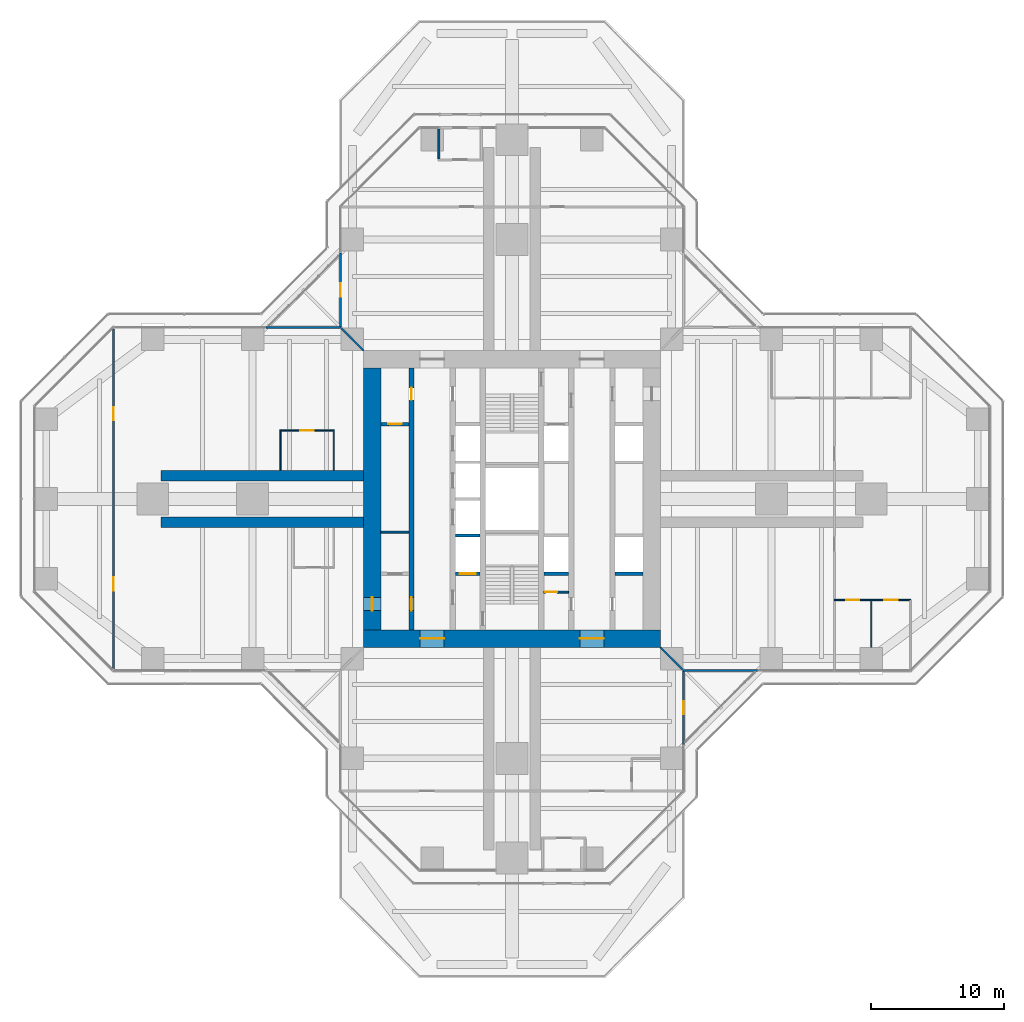
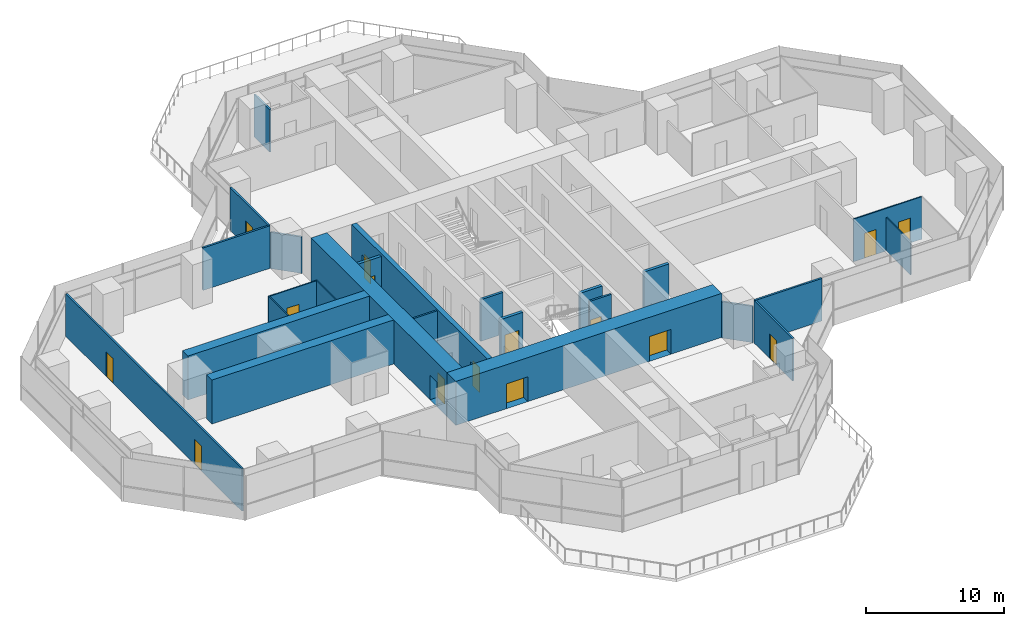
# One storey, part 17 of 21: 25 walls, 15 doors, 15 openings.
"""IFC4 building model written with IfcOpenShell, lengths in metres."""

from ifc_helpers import new_model, si_unit, direction, frame, frame_2d, origin, place, context, subcontext, project, spatial, rectangle, extrude, material, layer, layer_set, type_object, element, fill, save


model = new_model("IFC4")

# Units and contexts
model_context = context("Model", 3, precision=1e-05, world=origin(), true_north=direction((0.0, 1.0)))
body_context = subcontext(model_context, "Body", "Model", "MODEL_VIEW")
ifc_project = project(units=[si_unit("LENGTHUNIT", "METRE"), si_unit("AREAUNIT", "SQUARE_METRE"), si_unit("VOLUMEUNIT", "CUBIC_METRE"), si_unit("PLANEANGLEUNIT", "RADIAN"), si_unit("MASSUNIT", "GRAM", prefix="KILO")], contexts=[model_context])

# Site, building, storey
site_placement = place(None, origin())
site = spatial("IfcSite", under=ifc_project, at=site_placement, CompositionType="ELEMENT")
building_placement = place(site_placement, origin())
building = spatial("IfcBuilding", under=site, at=building_placement, Name="Mizan Broadcast Tower", CompositionType="ELEMENT")
storey_placement = place(building_placement, frame((0.0, 0.0, 124.199951171875)))
storey = spatial("IfcBuildingStorey", under=building, at=storey_placement, Name="L27", CompositionType="ELEMENT", Elevation=124.199951171875)

# Wall, openings, doors
ifc_material_1 = material(Name="Concrete C70/85", Category="concrete")
ifc_layer_1 = layer(ifc_material_1, 0.39990234375)
ifc_layer_set_1 = layer_set([ifc_layer_1], Name="Concrete C70/85")
wall_type_1 = type_object("IfcWallType", Name="CORE INTERNAL WALL 400", PredefinedType="SHEAR", material=ifc_layer_set_1)
wall_1_placement = place(storey_placement, frame((-7.550048828125, -9.85009765625, 0.0), z_axis=(0.0, 0.0, 1.0), x_axis=(0.0, 1.0, 0.0)))
wall_1 = element("IfcWall", 1, at=wall_1_placement, inside=storey, type_object=wall_type_1, Name="Core wall CORE/XW1", PredefinedType="SHEAR", context=body_context, shape_type="SweptSolid", body=[
    extrude(rectangle(XDim=19.7001953125, YDim=0.39990234375, at=frame_2d((9.85009765625, 0.0))), origin(), (0.0, 0.0, 1.0), 3.900146484375),
])
opening_1_placement = place(wall_1_placement, frame((1.449951171875, 0.0, 0.0)))
opening_1 = element("IfcOpeningElement", 2, at=opening_1_placement, cuts=wall_1, Name="Opening D10F", PredefinedType="OPENING", context=body_context, shape_type="SweptSolid", body=[
    extrude(rectangle(XDim=1.0, YDim=2.199951171875, at=frame_2d((0.5, 1.10009765625))), frame((0.0, 0.2099609375, 0.0), z_axis=(0.0, -1.0, 0.0), x_axis=(1.0, 0.0, 0.0)), (0.0, 0.0, 1.0), 0.419921875),
])
opening_2_placement = place(wall_1_placement, frame((17.300048828125, 0.0, 0.0)))
opening_2 = element("IfcOpeningElement", 3, at=opening_2_placement, cuts=wall_1, Name="Opening D09", PredefinedType="OPENING", context=body_context, shape_type="SweptSolid", body=[
    extrude(rectangle(XDim=0.89990234375, YDim=2.10009765625, at=frame_2d((0.449951171875, 1.050048828125))), frame((0.0, 0.2099609375, 0.0), z_axis=(0.0, -1.0, 0.0), x_axis=(1.0, 0.0, 0.0)), (0.0, 0.0, 1.0), 0.419921875),
])
ifc_material_2 = material(Name="Steel door leaf in steel frame", Category="steel")
door_type_1 = type_object("IfcDoorType", Name="FIRE DOOR 1000 FD90", OperationType="SINGLE_SWING_LEFT", PredefinedType="DOOR", material=ifc_material_2)
door_1_placement = place(opening_1_placement, origin())
door_1 = element("IfcDoor", 4, at=door_1_placement, inside=storey, type_object=door_type_1, Name="West core passage door", OperationType="SINGLE_SWING_LEFT", OverallHeight=2.199951171875, OverallWidth=1.0, PredefinedType="DOOR", context=body_context, shape_type="SweptSolid", body=[
    extrude(rectangle(XDim=1.0, YDim=2.199951171875, at=frame_2d((0.5, 1.10009765625))), frame((0.0, 0.02490234375, 0.0), z_axis=(0.0, -1.0, 0.0), x_axis=(1.0, 0.0, 0.0)), (0.0, 0.0, 1.0), 0.050048828125),
])
fill(opening_1, door_1)
ifc_material_3 = material(Name="Timber door leaf in aluminium frame", Category="wood")
door_type_2 = type_object("IfcDoorType", Name="TOILET DOOR 900", OperationType="SINGLE_SWING_LEFT", PredefinedType="DOOR", material=ifc_material_3)
door_2_placement = place(opening_2_placement, origin())
door_2 = element("IfcDoor", 5, at=door_2_placement, inside=storey, type_object=door_type_2, Name="Male WC door", OperationType="SINGLE_SWING_RIGHT", OverallHeight=2.10009765625, OverallWidth=0.89990234375, PredefinedType="DOOR", context=body_context, shape_type="SweptSolid", body=[
    extrude(rectangle(XDim=0.89990234375, YDim=2.10009765625, at=frame_2d((0.449951171875, 1.050048828125))), frame((0.0, 0.02490234375, 0.0), z_axis=(0.0, -1.0, 0.0), x_axis=(1.0, 0.0, 0.0)), (0.0, 0.0, 1.0), 0.050048828125),
])
fill(opening_2, door_2)

# Wall
ifc_material_4 = material(Name="Concrete blockwork", Category="masonry")
ifc_layer_2 = layer(ifc_material_4, 0.14990234375)
ifc_layer_set_2 = layer_set([ifc_layer_2], Name="Concrete blockwork")
wall_type_2 = type_object("IfcWallType", Name="CORE PARTITION 150", PredefinedType="SOLIDWALL", material=ifc_layer_set_2)
wall_2_placement = place(storey_placement, frame((-9.85009765625, -2.5, 0.0), z_axis=(0.0, 0.0, 1.0), x_axis=(1.0, 0.0, 0.0)))
element("IfcWall", 6, at=wall_2_placement, inside=storey, type_object=wall_type_2, Name="Core partition CORE/XP1", PredefinedType="SOLIDWALL", context=body_context, shape_type="SweptSolid", body=[
    extrude(rectangle(XDim=2.10009765625, YDim=0.14990234375, at=frame_2d((1.050048828125, 0.0))), origin(), (0.0, 0.0, 1.0), 3.77001953125),
])

# Wall, opening, door
wall_3_placement = place(storey_placement, frame((2.39990234375, -7.0, 0.0), z_axis=(0.0, 0.0, 1.0), x_axis=(1.0, 0.0, 0.0)))
wall_3 = element("IfcWall", 7, at=wall_3_placement, inside=storey, type_object=wall_type_2, Name="Core partition CORE/XPC", PredefinedType="SOLIDWALL", context=body_context, shape_type="SweptSolid", body=[
    extrude(rectangle(XDim=1.85009765625, YDim=0.14990234375, at=frame_2d((0.925048828125, 0.0))), origin(), (0.0, 0.0, 1.0), 3.77001953125),
])
opening_3_placement = place(wall_3_placement, frame((0.10009765625, 0.0, 0.0)))
opening_3 = element("IfcOpeningElement", 8, at=opening_3_placement, cuts=wall_3, Name="Opening D09F", PredefinedType="OPENING", context=body_context, shape_type="SweptSolid", body=[
    extrude(rectangle(XDim=0.89990234375, YDim=2.10009765625, at=frame_2d((0.449951171875, 1.050048828125))), frame((0.0, 0.0849609375, 0.0), z_axis=(0.0, -1.0, 0.0), x_axis=(1.0, 0.0, 0.0)), (0.0, 0.0, 1.0), 0.169921875),
])
ifc_material_5 = material(Name="Steel door leaf in steel frame", Category="steel")
door_type_3 = type_object("IfcDoorType", Name="CORE ROOM DOOR 900 FD90", OperationType="SINGLE_SWING_LEFT", PredefinedType="DOOR", material=ifc_material_5)
door_3_placement = place(opening_3_placement, origin())
door_3 = element("IfcDoor", 9, at=door_3_placement, inside=storey, type_object=door_type_3, Name="Waste store door", OperationType="SINGLE_SWING_LEFT", OverallHeight=2.10009765625, OverallWidth=0.89990234375, PredefinedType="DOOR", context=body_context, shape_type="SweptSolid", body=[
    extrude(rectangle(XDim=0.89990234375, YDim=2.10009765625, at=frame_2d((0.449951171875, 1.050048828125))), frame((0.0, 0.02490234375, 0.0), z_axis=(0.0, -1.0, 0.0), x_axis=(1.0, 0.0, 0.0)), (0.0, 0.0, 1.0), 0.050048828125),
])
fill(opening_3, door_3)

# Wall, openings, doors
ifc_material_6 = material(Name="Concrete C70/85", Category="concrete")
ifc_layer_3 = layer(ifc_material_6, 1.300048828125)
ifc_layer_set_3 = layer_set([ifc_layer_3], Name="Concrete C70/85")
wall_type_3 = type_object("IfcWallType", Name="CORE WALL 1300", PredefinedType="SHEAR", material=ifc_layer_set_3)
wall_4_placement = place(storey_placement, frame((11.14990234375, -10.5, 0.0), z_axis=(0.0, 0.0, 1.0), x_axis=(-1.0, 0.0, 0.0)))
wall_4 = element("IfcWall", 10, at=wall_4_placement, inside=storey, type_object=wall_type_3, Name="Core wall S L27", PredefinedType="SHEAR", context=body_context, shape_type="SweptSolid", body=[
    extrude(rectangle(XDim=22.2998046875, YDim=1.300048828125, at=frame_2d((11.14990234375, 0.0))), origin(), (0.0, 0.0, 1.0), 3.900146484375),
])
opening_4_placement = place(wall_4_placement, frame((16.25, 0.0, 0.0)))
opening_4 = element("IfcOpeningElement", 11, at=opening_4_placement, cuts=wall_4, Name="Opening D18F", PredefinedType="OPENING", context=body_context, shape_type="SweptSolid", body=[
    extrude(rectangle(XDim=1.800048828125, YDim=2.199951171875, at=frame_2d((0.89990234375, 1.10009765625))), frame((0.0, 0.659912109375, 0.0), z_axis=(0.0, -1.0, 0.0), x_axis=(1.0, 0.0, 0.0)), (0.0, 0.0, 1.0), 1.320068359375),
])
opening_5_placement = place(wall_4_placement, frame((4.25, 0.0, 0.0)))
opening_5 = element("IfcOpeningElement", 12, at=opening_5_placement, cuts=wall_4, Name="Opening D18F", PredefinedType="OPENING", context=body_context, shape_type="SweptSolid", body=[
    extrude(rectangle(XDim=1.800048828125, YDim=2.199951171875, at=frame_2d((0.89990234375, 1.10009765625))), frame((0.0, 0.659912109375, 0.0), z_axis=(0.0, -1.0, 0.0), x_axis=(1.0, 0.0, 0.0)), (0.0, 0.0, 1.0), 1.320068359375),
])
ifc_material_7 = material(Name="Steel door leaf in steel frame", Category="steel")
door_type_4 = type_object("IfcDoorType", Name="LOBBY DOUBLE DOOR 1800 FD90", OperationType="DOUBLE_DOOR_DOUBLE_SWING", PredefinedType="DOOR", material=ifc_material_7)
door_4_placement = place(opening_4_placement, origin())
door_4 = element("IfcDoor", 13, at=door_4_placement, inside=storey, type_object=door_type_4, Name="West lift lobby south door", OperationType="DOUBLE_DOOR_DOUBLE_SWING", OverallHeight=2.199951171875, OverallWidth=1.800048828125, PredefinedType="DOOR", context=body_context, shape_type="SweptSolid", body=[
    extrude(rectangle(XDim=1.800048828125, YDim=2.199951171875, at=frame_2d((0.89990234375, 1.10009765625))), frame((0.0, 0.02490234375, 0.0), z_axis=(0.0, -1.0, 0.0), x_axis=(1.0, 0.0, 0.0)), (0.0, 0.0, 1.0), 0.050048828125),
])
fill(opening_4, door_4)
door_5_placement = place(opening_5_placement, origin())
door_5 = element("IfcDoor", 14, at=door_5_placement, inside=storey, type_object=door_type_4, Name="East lift lobby south door", OperationType="DOUBLE_DOOR_DOUBLE_SWING", OverallHeight=2.199951171875, OverallWidth=1.800048828125, PredefinedType="DOOR", context=body_context, shape_type="SweptSolid", body=[
    extrude(rectangle(XDim=1.800048828125, YDim=2.199951171875, at=frame_2d((0.89990234375, 1.10009765625))), frame((0.0, 0.02490234375, 0.0), z_axis=(0.0, -1.0, 0.0), x_axis=(1.0, 0.0, 0.0)), (0.0, 0.0, 1.0), 0.050048828125),
])
fill(opening_5, door_5)

# Wall, opening, door
wall_5_placement = place(storey_placement, frame((-10.5, 9.85009765625, 0.0), z_axis=(0.0, 0.0, 1.0), x_axis=(0.0, -1.0, 0.0)))
wall_5 = element("IfcWall", 15, at=wall_5_placement, inside=storey, type_object=wall_type_3, Name="Core wall W L27", PredefinedType="SHEAR", context=body_context, shape_type="SweptSolid", body=[
    extrude(rectangle(XDim=19.7001953125, YDim=1.300048828125, at=frame_2d((9.85009765625, 0.0))), origin(), (0.0, 0.0, 1.0), 3.900146484375),
])
opening_6_placement = place(wall_5_placement, frame((17.25, 0.0, 0.0)))
opening_6 = element("IfcOpeningElement", 16, at=opening_6_placement, cuts=wall_5, Name="Opening D10F", PredefinedType="OPENING", context=body_context, shape_type="SweptSolid", body=[
    extrude(rectangle(XDim=1.0, YDim=2.199951171875, at=frame_2d((0.5, 1.10009765625))), frame((0.0, 0.659912109375, 0.0), z_axis=(0.0, -1.0, 0.0), x_axis=(1.0, 0.0, 0.0)), (0.0, 0.0, 1.0), 1.320068359375),
])
door_6_placement = place(opening_6_placement, origin())
door_6 = element("IfcDoor", 17, at=door_6_placement, inside=storey, type_object=door_type_1, Name="West core passage arm door", OperationType="SINGLE_SWING_RIGHT", OverallHeight=2.199951171875, OverallWidth=1.0, PredefinedType="DOOR", context=body_context, shape_type="SweptSolid", body=[
    extrude(rectangle(XDim=1.0, YDim=2.199951171875, at=frame_2d((0.5, 1.10009765625))), frame((0.0, 0.02490234375, 0.0), z_axis=(0.0, -1.0, 0.0), x_axis=(1.0, 0.0, 0.0)), (0.0, 0.0, 1.0), 0.050048828125),
])
fill(opening_6, door_6)

# Wall
ifc_material_8 = material(Name="Aluminium framed glazed screen", Category="aluminium")
ifc_layer_4 = layer(ifc_material_8, 0.159912109375)
ifc_layer_set_4 = layer_set([ifc_layer_4], Name="Aluminium framed glazed screen")
wall_type_4 = type_object("IfcWallType", Name="GLAZED SCREEN WALL 160", PredefinedType="SOLIDWALL", material=ifc_layer_set_4)
wall_6_placement = place(storey_placement, frame((12.89990234375, -12.89990234375, 0.0), z_axis=(0.0, 0.0, 1.0), x_axis=(1.0, 0.0, 0.0)))
element("IfcWall", 18, at=wall_6_placement, inside=storey, type_object=wall_type_4, Name="Winter garden screen L27 E", PredefinedType="SOLIDWALL", context=body_context, shape_type="SweptSolid", body=[
    extrude(rectangle(XDim=5.60009765625, YDim=0.159912109375, at=frame_2d((2.800048828125, 0.0))), origin(), (0.0, 0.0, 1.0), 3.77001953125),
])

# Wall, opening, door
wall_7_placement = place(storey_placement, frame((-12.89990234375, 18.5, 0.0), z_axis=(0.0, 0.0, 1.0), x_axis=(0.0, -1.0, 0.0)))
wall_7 = element("IfcWall", 19, at=wall_7_placement, inside=storey, type_object=wall_type_4, Name="Winter garden screen L27 N", PredefinedType="SOLIDWALL", context=body_context, shape_type="SweptSolid", body=[
    extrude(rectangle(XDim=5.60009765625, YDim=0.159912109375, at=frame_2d((2.800048828125, 0.0))), origin(), (0.0, 0.0, 1.0), 3.77001953125),
])
opening_7_placement = place(wall_7_placement, frame((2.300048828125, 0.0, 0.0)))
opening_7 = element("IfcOpeningElement", 20, at=opening_7_placement, cuts=wall_7, Name="Opening WGD", PredefinedType="OPENING", context=body_context, shape_type="SweptSolid", body=[
    extrude(rectangle(XDim=1.0, YDim=2.199951171875, at=frame_2d((0.5, 1.10009765625))), frame((0.0, 0.08984375, 0.0), z_axis=(0.0, -1.0, 0.0), x_axis=(1.0, 0.0, 0.0)), (0.0, 0.0, 1.0), 0.179931640625),
])
ifc_material_9 = material(Name="Aluminium framed glazed door", Category="aluminium")
door_type_5 = type_object("IfcDoorType", Name="WINTER GARDEN DOOR 1000 GLAZED", OperationType="SINGLE_SWING_LEFT", PredefinedType="DOOR", material=ifc_material_9)
door_7_placement = place(opening_7_placement, origin())
door_7 = element("IfcDoor", 21, at=door_7_placement, inside=storey, type_object=door_type_5, Name="Winter garden door L27 N", OperationType="SINGLE_SWING_RIGHT", OverallHeight=2.199951171875, OverallWidth=1.0, PredefinedType="DOOR", context=body_context, shape_type="SweptSolid", body=[
    extrude(rectangle(XDim=1.0, YDim=2.199951171875, at=frame_2d((0.5, 1.10009765625))), frame((0.0, 0.02490234375, 0.0), z_axis=(0.0, -1.0, 0.0), x_axis=(1.0, 0.0, 0.0)), (0.0, 0.0, 1.0), 0.050048828125),
])
fill(opening_7, door_7)

# Wall
wall_8_placement = place(storey_placement, frame((-12.89990234375, 12.89990234375, 0.0), z_axis=(0.0, 0.0, 1.0), x_axis=(-1.0, 0.0, 0.0)))
element("IfcWall", 22, at=wall_8_placement, inside=storey, type_object=wall_type_4, Name="Winter garden screen L27 W", PredefinedType="SOLIDWALL", context=body_context, shape_type="SweptSolid", body=[
    extrude(rectangle(XDim=5.60009765625, YDim=0.159912109375, at=frame_2d((2.800048828125, 0.0))), origin(), (0.0, 0.0, 1.0), 3.77001953125),
])

# Wall, opening, door
wall_9_placement = place(storey_placement, frame((12.89990234375, -18.5, 0.0), z_axis=(0.0, 0.0, 1.0), x_axis=(0.0, 1.0, 0.0)))
wall_9 = element("IfcWall", 23, at=wall_9_placement, inside=storey, type_object=wall_type_4, Name="Winter garden screen L27 S", PredefinedType="SOLIDWALL", context=body_context, shape_type="SweptSolid", body=[
    extrude(rectangle(XDim=5.60009765625, YDim=0.159912109375, at=frame_2d((2.800048828125, 0.0))), origin(), (0.0, 0.0, 1.0), 3.77001953125),
])
opening_8_placement = place(wall_9_placement, frame((2.300048828125, 0.0, 0.0)))
opening_8 = element("IfcOpeningElement", 24, at=opening_8_placement, cuts=wall_9, Name="Opening WGD", PredefinedType="OPENING", context=body_context, shape_type="SweptSolid", body=[
    extrude(rectangle(XDim=1.0, YDim=2.199951171875, at=frame_2d((0.5, 1.10009765625))), frame((0.0, 0.08984375, 0.0), z_axis=(0.0, -1.0, 0.0), x_axis=(1.0, 0.0, 0.0)), (0.0, 0.0, 1.0), 0.179931640625),
])
door_8_placement = place(opening_8_placement, origin())
door_8 = element("IfcDoor", 25, at=door_8_placement, inside=storey, type_object=door_type_5, Name="Winter garden door L27 S", OperationType="SINGLE_SWING_RIGHT", OverallHeight=2.199951171875, OverallWidth=1.0, PredefinedType="DOOR", context=body_context, shape_type="SweptSolid", body=[
    extrude(rectangle(XDim=1.0, YDim=2.199951171875, at=frame_2d((0.5, 1.10009765625))), frame((0.0, 0.02490234375, 0.0), z_axis=(0.0, -1.0, 0.0), x_axis=(1.0, 0.0, 0.0)), (0.0, 0.0, 1.0), 0.050048828125),
])
fill(opening_8, door_8)

# Wall
ifc_material_10 = material(Name="Concrete blockwork", Category="masonry")
ifc_layer_5 = layer(ifc_material_10, 0.199951171875)
ifc_layer_set_5 = layer_set([ifc_layer_5], Name="Concrete blockwork")
wall_type_5 = type_object("IfcWallType", Name="LIFT SHAFT WALL 200", PredefinedType="SOLIDWALL", material=ifc_layer_set_5)
wall_10_placement = place(storey_placement, frame((-4.25, -2.75, 0.0), z_axis=(0.0, 0.0, 1.0), x_axis=(1.0, 0.0, 0.0)))
element("IfcWall", 26, at=wall_10_placement, inside=storey, type_object=wall_type_5, Name="Lift shaft wall CORE/SW2-1", PredefinedType="SOLIDWALL", context=body_context, shape_type="SweptSolid", body=[
    extrude(rectangle(XDim=1.85009765625, YDim=0.199951171875, at=frame_2d((0.925048828125, 0.0))), origin(), (0.0, 0.0, 1.0), 3.699951171875),
])

# Wall, opening, door
ifc_material_11 = material(Name="Concrete blockwork", Category="masonry")
ifc_layer_6 = layer(ifc_material_11, 0.25)
ifc_layer_set_6 = layer_set([ifc_layer_6], Name="Concrete blockwork")
wall_type_6 = type_object("IfcWallType", Name="LOBBY ENCLOSURE WALL 250", PredefinedType="SOLIDWALL", material=ifc_layer_set_6)
wall_11_placement = place(storey_placement, frame((-9.85009765625, 5.625, 0.0), z_axis=(0.0, 0.0, 1.0), x_axis=(1.0, 0.0, 0.0)))
wall_11 = element("IfcWall", 27, at=wall_11_placement, inside=storey, type_object=wall_type_6, Name="Lobby enclosure wall CORE/BW1N", PredefinedType="SOLIDWALL", context=body_context, shape_type="SweptSolid", body=[
    extrude(rectangle(XDim=2.10009765625, YDim=0.25, at=frame_2d((1.050048828125, 0.0))), origin(), (0.0, 0.0, 1.0), 3.699951171875),
])
opening_9_placement = place(wall_11_placement, frame((0.550048828125, 0.0, 0.0)))
opening_9 = element("IfcOpeningElement", 28, at=opening_9_placement, cuts=wall_11, Name="Opening D10F", PredefinedType="OPENING", context=body_context, shape_type="SweptSolid", body=[
    extrude(rectangle(XDim=1.0, YDim=2.199951171875, at=frame_2d((0.5, 1.10009765625))), frame((0.0, 0.135009765625, 0.0), z_axis=(0.0, -1.0, 0.0), x_axis=(1.0, 0.0, 0.0)), (0.0, 0.0, 1.0), 0.27001953125),
])
door_9_placement = place(opening_9_placement, origin())
door_9 = element("IfcDoor", 29, at=door_9_placement, inside=storey, type_object=door_type_1, Name="Male staff shower room door", OperationType="SINGLE_SWING_RIGHT", OverallHeight=2.199951171875, OverallWidth=1.0, PredefinedType="DOOR", context=body_context, shape_type="SweptSolid", body=[
    extrude(rectangle(XDim=1.0, YDim=2.199951171875, at=frame_2d((0.5, 1.10009765625))), frame((0.0, 0.02490234375, 0.0), z_axis=(0.0, -1.0, 0.0), x_axis=(1.0, 0.0, 0.0)), (0.0, 0.0, 1.0), 0.050048828125),
])
fill(opening_9, door_9)

wall_12_placement = place(storey_placement, frame((-4.25, -5.625, 0.0), z_axis=(0.0, 0.0, 1.0), x_axis=(1.0, 0.0, 0.0)))
wall_12 = element("IfcWall", 30, at=wall_12_placement, inside=storey, type_object=wall_type_6, Name="Lobby enclosure wall CORE/BW2S", PredefinedType="SOLIDWALL", context=body_context, shape_type="SweptSolid", body=[
    extrude(rectangle(XDim=1.85009765625, YDim=0.25, at=frame_2d((0.925048828125, 0.0))), origin(), (0.0, 0.0, 1.0), 3.699951171875),
])
opening_10_placement = place(wall_12_placement, frame((0.324951171875, 0.0, 0.0)))
opening_10 = element("IfcOpeningElement", 31, at=opening_10_placement, cuts=wall_12, Name="Opening LDF", PredefinedType="OPENING", context=body_context, shape_type="SweptSolid", body=[
    extrude(rectangle(XDim=1.199951171875, YDim=2.199951171875, at=frame_2d((0.60009765625, 1.10009765625))), frame((0.0, 0.135009765625, 0.0), z_axis=(0.0, -1.0, 0.0), x_axis=(1.0, 0.0, 0.0)), (0.0, 0.0, 1.0), 0.27001953125),
])
ifc_material_12 = material(Name="Steel door leaf in steel frame", Category="steel")
door_type_6 = type_object("IfcDoorType", Name="FIREFIGHTING LIFT LANDING DOOR 1200", OperationType="SLIDING_TO_LEFT", PredefinedType="DOOR", material=ifc_material_12)
door_10_placement = place(opening_10_placement, origin())
door_10 = element("IfcDoor", 32, at=door_10_placement, inside=storey, type_object=door_type_6, Name="Landing door FF1", OperationType="SLIDING_TO_LEFT", OverallHeight=2.199951171875, OverallWidth=1.199951171875, PredefinedType="DOOR", context=body_context, shape_type="SweptSolid", body=[
    extrude(rectangle(XDim=1.199951171875, YDim=2.199951171875, at=frame_2d((0.60009765625, 1.10009765625))), frame((0.0, 0.02490234375, 0.0), z_axis=(0.0, -1.0, 0.0), x_axis=(1.0, 0.0, 0.0)), (0.0, 0.0, 1.0), 0.050048828125),
])
fill(opening_10, door_10)

# Walls
wall_13_placement = place(storey_placement, frame((2.39990234375, -5.625, 0.0), z_axis=(0.0, 0.0, 1.0), x_axis=(1.0, 0.0, 0.0)))
element("IfcWall", 33, at=wall_13_placement, inside=storey, type_object=wall_type_6, Name="Lobby enclosure wall CORE/BE2S", PredefinedType="SOLIDWALL", context=body_context, shape_type="SweptSolid", body=[
    extrude(rectangle(XDim=1.85009765625, YDim=0.25, at=frame_2d((0.925048828125, 0.0))), origin(), (0.0, 0.0, 1.0), 3.699951171875),
])
wall_14_placement = place(storey_placement, frame((7.75, -5.625, 0.0), z_axis=(0.0, 0.0, 1.0), x_axis=(1.0, 0.0, 0.0)))
element("IfcWall", 34, at=wall_14_placement, inside=storey, type_object=wall_type_6, Name="Lobby enclosure wall CORE/BE1S", PredefinedType="SOLIDWALL", context=body_context, shape_type="SweptSolid", body=[
    extrude(rectangle(XDim=2.10009765625, YDim=0.25, at=frame_2d((1.050048828125, 0.0))), origin(), (0.0, 0.0, 1.0), 3.699951171875),
])
ifc_material_13 = material(Name="Gypsum board on steel studs", Category="steel")
ifc_layer_7 = layer(ifc_material_13, 0.14990234375)
ifc_layer_set_7 = layer_set([ifc_layer_7], Name="Gypsum board on steel studs")
wall_type_7 = type_object("IfcWallType", Name="PARTITION 150", PredefinedType="PARTITIONING", material=ifc_layer_set_7)
wall_15_placement = place(storey_placement, frame((-5.5, 25.570068359375, 0.0), z_axis=(0.0, 0.0, 1.0), x_axis=(0.0, 1.0, 0.0)))
element("IfcWall", 35, at=wall_15_placement, inside=storey, type_object=wall_type_7, Name="Partition PT/NFMP", PredefinedType="PARTITIONING", context=body_context, shape_type="SweptSolid", body=[
    extrude(rectangle(XDim=2.25, YDim=0.14990234375, at=frame_2d((1.125, 0.0))), origin(), (0.0, 0.0, 1.0), 3.77001953125),
])

# Wall, openings, doors
wall_16_placement = place(storey_placement, frame((-29.958984375, 12.786376953125, 0.0), z_axis=(0.0, 0.0, 1.0), x_axis=(0.0, -1.0, 0.0)))
wall_16 = element("IfcWall", 36, at=wall_16_placement, inside=storey, type_object=wall_type_7, Name="Partition PT/WX1", PredefinedType="PARTITIONING", context=body_context, shape_type="SweptSolid", body=[
    extrude(rectangle(XDim=25.57275390625, YDim=0.14990234375, at=frame_2d((12.786376953125, 0.0))), origin(), (0.0, 0.0, 1.0), 3.77001953125),
])
opening_11_placement = place(wall_16_placement, frame((18.6865234375, 0.0, 0.0)))
opening_11 = element("IfcOpeningElement", 37, at=opening_11_placement, cuts=wall_16, Name="Opening D10", PredefinedType="OPENING", context=body_context, shape_type="SweptSolid", body=[
    extrude(rectangle(XDim=1.0, YDim=2.199951171875, at=frame_2d((0.5, 1.10009765625))), frame((0.0, 0.0849609375, 0.0), z_axis=(0.0, -1.0, 0.0), x_axis=(1.0, 0.0, 0.0)), (0.0, 0.0, 1.0), 0.169921875),
])
opening_12_placement = place(wall_16_placement, frame((5.886474609375, 0.0, 0.0)))
opening_12 = element("IfcOpeningElement", 38, at=opening_12_placement, cuts=wall_16, Name="Opening D10", PredefinedType="OPENING", context=body_context, shape_type="SweptSolid", body=[
    extrude(rectangle(XDim=1.0, YDim=2.199951171875, at=frame_2d((0.5, 1.10009765625))), frame((0.0, 0.0849609375, 0.0), z_axis=(0.0, -1.0, 0.0), x_axis=(1.0, 0.0, 0.0)), (0.0, 0.0, 1.0), 0.169921875),
])
ifc_material_14 = material(Name="Timber door leaf in aluminium frame", Category="wood")
door_type_7 = type_object("IfcDoorType", Name="ROOM DOOR 1000", OperationType="SINGLE_SWING_LEFT", PredefinedType="DOOR", material=ifc_material_14)
door_11_placement = place(opening_11_placement, origin())
door_11 = element("IfcDoor", 39, at=door_11_placement, inside=storey, type_object=door_type_7, Name="Meeting room door", OperationType="SINGLE_SWING_RIGHT", OverallHeight=2.199951171875, OverallWidth=1.0, PredefinedType="DOOR", context=body_context, shape_type="SweptSolid", body=[
    extrude(rectangle(XDim=1.0, YDim=2.199951171875, at=frame_2d((0.5, 1.10009765625))), frame((0.0, 0.02490234375, 0.0), z_axis=(0.0, -1.0, 0.0), x_axis=(1.0, 0.0, 0.0)), (0.0, 0.0, 1.0), 0.050048828125),
])
fill(opening_11, door_11)
door_12_placement = place(opening_12_placement, origin())
door_12 = element("IfcDoor", 40, at=door_12_placement, inside=storey, type_object=door_type_7, Name="Meeting room door", OperationType="SINGLE_SWING_LEFT", OverallHeight=2.199951171875, OverallWidth=1.0, PredefinedType="DOOR", context=body_context, shape_type="SweptSolid", body=[
    extrude(rectangle(XDim=1.0, YDim=2.199951171875, at=frame_2d((0.5, 1.10009765625))), frame((0.0, 0.02490234375, 0.0), z_axis=(0.0, -1.0, 0.0), x_axis=(1.0, 0.0, 0.0)), (0.0, 0.0, 1.0), 0.050048828125),
])
fill(opening_12, door_12)

# Walls
for number, where, z_axis, x_axis, name in (
    (41, (-11.14990234375, 11.14990234375, 0.0), (0.0, 0.0, 1.0), (-0.707106781187, 0.707106781187, 0.0), "Partition PT/DGWN"),
    (42, (11.14990234375, -11.14990234375, 0.0), (0.0, 0.0, 1.0), (0.707106781187, -0.707106781187, 0.0), "Partition PT/DGES"),
):
    element("IfcWall", number, at=place(storey_placement, frame(where, z_axis=z_axis, x_axis=x_axis)), inside=storey, type_object=wall_type_7, Name=name, PredefinedType="PARTITIONING", context=body_context, shape_type="SweptSolid", body=[
        extrude(rectangle(XDim=2.362060546875, YDim=0.14990234375, at=frame_2d((1.18115234375, 0.0))), origin(), (0.0, 0.0, 1.0), 3.219970703125),
    ])

# Wall, openings, doors
ifc_material_15 = material(Name="Glazed aluminium partition on aluminium track", Category="aluminium")
ifc_layer_8 = layer(ifc_material_15, 0.10009765625)
ifc_layer_set_8 = layer_set([ifc_layer_8], Name="Glazed aluminium partition on aluminium track")
wall_type_8 = type_object("IfcWallType", Name="PARTITION GLAZED OFFICE FRONT 100", PredefinedType="PARTITIONING", material=ifc_layer_set_8)
wall_17_placement = place(storey_placement, frame((24.22900390625, -7.60009765625, 0.0), z_axis=(0.0, 0.0, 1.0), x_axis=(1.0, 0.0, 0.0)))
wall_17 = element("IfcWall", 43, at=wall_17_placement, inside=storey, type_object=wall_type_8, Name="Glazed office front PT/ECN0", PredefinedType="PARTITIONING", context=body_context, shape_type="SweptSolid", body=[
    extrude(rectangle(XDim=5.72998046875, YDim=0.10009765625, at=frame_2d((2.864990234375, 0.0))), origin(), (0.0, 0.0, 1.0), 3.77001953125),
])
opening_13_placement = place(wall_17_placement, frame((0.885498046875, 0.0, 0.0)))
opening_13 = element("IfcOpeningElement", 44, at=opening_13_placement, cuts=wall_17, Name="Opening D10O", PredefinedType="OPENING", context=body_context, shape_type="SweptSolid", body=[
    extrude(rectangle(XDim=1.0, YDim=2.199951171875, at=frame_2d((0.5, 1.10009765625))), frame((0.0, 0.06005859375, 0.0), z_axis=(0.0, -1.0, 0.0), x_axis=(1.0, 0.0, 0.0)), (0.0, 0.0, 1.0), 0.1201171875),
])
opening_14_placement = place(wall_17_placement, frame((3.75048828125, 0.0, 0.0)))
opening_14 = element("IfcOpeningElement", 45, at=opening_14_placement, cuts=wall_17, Name="Opening D10O", PredefinedType="OPENING", context=body_context, shape_type="SweptSolid", body=[
    extrude(rectangle(XDim=1.0, YDim=2.199951171875, at=frame_2d((0.5, 1.10009765625))), frame((0.0, 0.06005859375, 0.0), z_axis=(0.0, -1.0, 0.0), x_axis=(1.0, 0.0, 0.0)), (0.0, 0.0, 1.0), 0.1201171875),
])
ifc_material_16 = material(Name="Timber door leaf in aluminium frame", Category="wood")
door_type_8 = type_object("IfcDoorType", Name="OFFICE DOOR 1000 GLAZED", OperationType="SINGLE_SWING_LEFT", PredefinedType="DOOR", material=ifc_material_16)
door_13_placement = place(opening_13_placement, origin())
door_13 = element("IfcDoor", 46, at=door_13_placement, inside=storey, type_object=door_type_8, Name="Office door", OperationType="SINGLE_SWING_LEFT", OverallHeight=2.199951171875, OverallWidth=1.0, PredefinedType="DOOR", context=body_context, shape_type="SweptSolid", body=[
    extrude(rectangle(XDim=1.0, YDim=2.199951171875, at=frame_2d((0.5, 1.10009765625))), frame((0.0, 0.02490234375, 0.0), z_axis=(0.0, -1.0, 0.0), x_axis=(1.0, 0.0, 0.0)), (0.0, 0.0, 1.0), 0.050048828125),
])
fill(opening_13, door_13)
door_14_placement = place(opening_14_placement, origin())
door_14 = element("IfcDoor", 47, at=door_14_placement, inside=storey, type_object=door_type_8, Name="Office door", OperationType="SINGLE_SWING_RIGHT", OverallHeight=2.199951171875, OverallWidth=1.0, PredefinedType="DOOR", context=body_context, shape_type="SweptSolid", body=[
    extrude(rectangle(XDim=1.0, YDim=2.199951171875, at=frame_2d((0.5, 1.10009765625))), frame((0.0, 0.02490234375, 0.0), z_axis=(0.0, -1.0, 0.0), x_axis=(1.0, 0.0, 0.0)), (0.0, 0.0, 1.0), 0.050048828125),
])
fill(opening_14, door_14)

# Walls
wall_18_placement = place(storey_placement, frame((27.0, -7.60009765625, 0.0), z_axis=(0.0, 0.0, 1.0), x_axis=(0.0, -1.0, 0.0)))
element("IfcWall", 48, at=wall_18_placement, inside=storey, type_object=wall_type_8, Name="Glazed office front PT/EQN2700", PredefinedType="PARTITIONING", context=body_context, shape_type="SweptSolid", body=[
    extrude(rectangle(XDim=3.5498046875, YDim=0.10009765625, at=frame_2d((1.77490234375, 0.0))), origin(), (0.0, 0.0, 1.0), 2.969970703125),
])
for number, where, z_axis, x_axis, name in (
    (49, (-13.39990234375, 2.14990234375, 0.0), (0.0, 0.0, 1.0), (0.0, 1.0, 0.0), "Glazed office front PT/WKN0a"),
    (50, (-17.39990234375, 2.14990234375, 0.0), (0.0, 0.0, 1.0), (0.0, 1.0, 0.0), "Glazed office front PT/WKN0b"),
):
    element("IfcWall", number, at=place(storey_placement, frame(where, z_axis=z_axis, x_axis=x_axis)), inside=storey, type_object=wall_type_8, Name=name, PredefinedType="PARTITIONING", context=body_context, shape_type="SweptSolid", body=[
        extrude(rectangle(XDim=3.0, YDim=0.10009765625, at=frame_2d((1.5, 0.0))), origin(), (0.0, 0.0, 1.0), 3.77001953125),
    ])

# Wall, opening, door
wall_19_placement = place(storey_placement, frame((-13.35009765625, 5.14990234375, 0.0), z_axis=(0.0, 0.0, 1.0), x_axis=(-1.0, 0.0, 0.0)))
wall_19 = element("IfcWall", 51, at=wall_19_placement, inside=storey, type_object=wall_type_8, Name="Glazed office front PT/WKN0f", PredefinedType="PARTITIONING", context=body_context, shape_type="SweptSolid", body=[
    extrude(rectangle(XDim=4.099853515625, YDim=0.10009765625, at=frame_2d((2.0498046875, 0.0))), origin(), (0.0, 0.0, 1.0), 3.77001953125),
])
opening_15_placement = place(wall_19_placement, frame((1.550048828125, 0.0, 0.0)))
opening_15 = element("IfcOpeningElement", 52, at=opening_15_placement, cuts=wall_19, Name="Opening D10O", PredefinedType="OPENING", context=body_context, shape_type="SweptSolid", body=[
    extrude(rectangle(XDim=1.0, YDim=2.199951171875, at=frame_2d((0.5, 1.10009765625))), frame((0.0, 0.06005859375, 0.0), z_axis=(0.0, -1.0, 0.0), x_axis=(1.0, 0.0, 0.0)), (0.0, 0.0, 1.0), 0.1201171875),
])
door_15_placement = place(opening_15_placement, origin())
door_15 = element("IfcDoor", 53, at=door_15_placement, inside=storey, type_object=door_type_8, Name="File room door", OperationType="SINGLE_SWING_LEFT", OverallHeight=2.199951171875, OverallWidth=1.0, PredefinedType="DOOR", context=body_context, shape_type="SweptSolid", body=[
    extrude(rectangle(XDim=1.0, YDim=2.199951171875, at=frame_2d((0.5, 1.10009765625))), frame((0.0, 0.02490234375, 0.0), z_axis=(0.0, -1.0, 0.0), x_axis=(1.0, 0.0, 0.0)), (0.0, 0.0, 1.0), 0.050048828125),
])
fill(opening_15, door_15)

# Walls
ifc_material_17 = material(Name="Concrete C70/85", Category="concrete")
ifc_layer_9 = layer(ifc_material_17, 0.800048828125)
ifc_layer_set_9 = layer_set([ifc_layer_9], Name="Concrete C70/85")
wall_type_9 = type_object("IfcWallType", Name="SPINE WALL 800", PredefinedType="SHEAR", material=ifc_layer_set_9)
for number, where, z_axis, x_axis, name in (
    (54, (-11.14990234375, 1.75, 0.0), (0.0, 0.0, 1.0), (-1.0, 0.0, 0.0), "Spine wall WR L27"),
    (55, (-11.14990234375, -1.75, 0.0), (0.0, 0.0, 1.0), (-1.0, 0.0, 0.0), "Spine wall WL L27"),
):
    element("IfcWall", number, at=place(storey_placement, frame(where, z_axis=z_axis, x_axis=x_axis)), inside=storey, type_object=wall_type_9, Name=name, PredefinedType="SHEAR", context=body_context, shape_type="SweptSolid", body=[
        extrude(rectangle(XDim=15.25, YDim=0.800048828125, at=frame_2d((7.625, 0.0))), origin(), (0.0, 0.0, 1.0), 3.900146484375),
    ])

save(model, "model.ifc")
